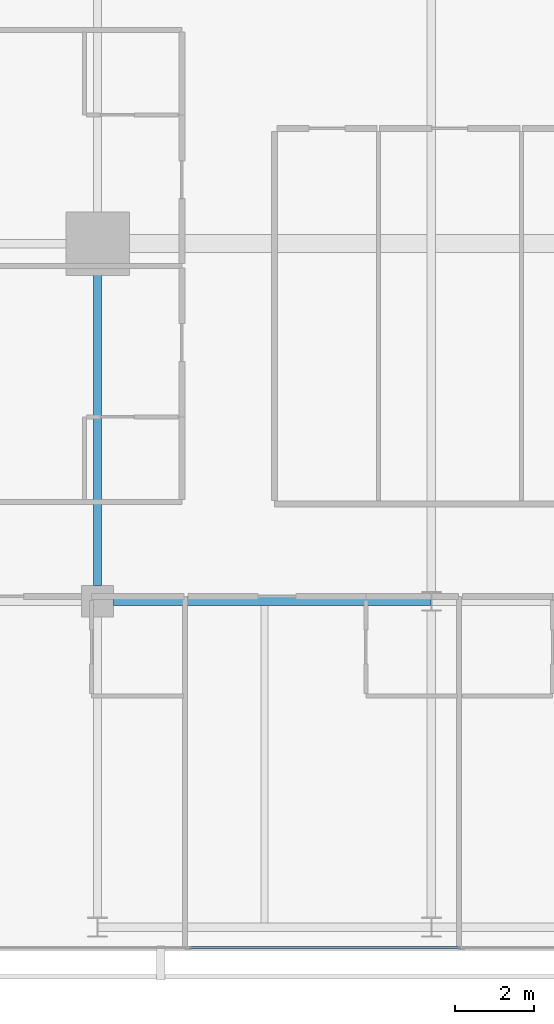
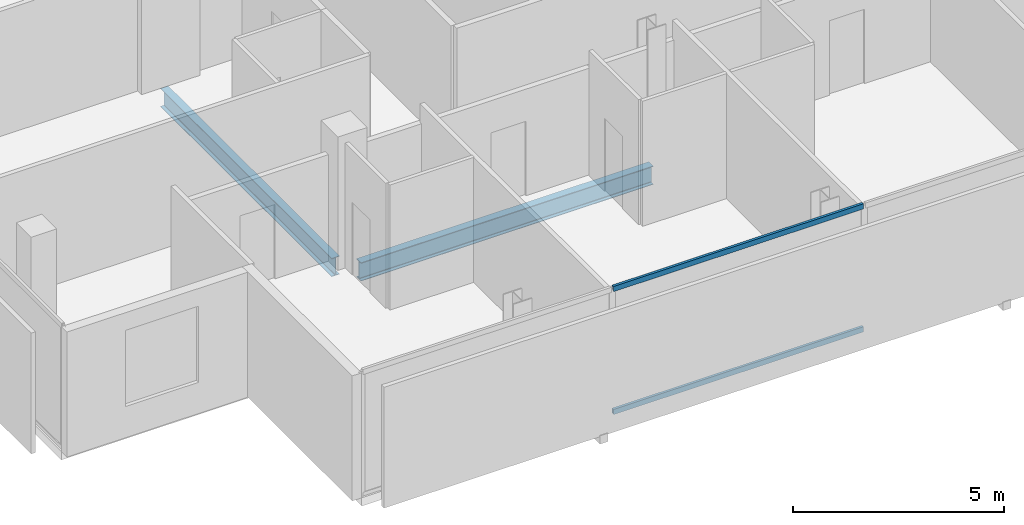
# One storey, part 5 of 25: 2 beams, 2 members, 1 element without a shape of its own.
"""IFC4 building model written with IfcOpenShell, lengths in metres."""

from ifc_helpers import new_model, si_unit, direction, frame, origin, origin_2d, place, context, subcontext, project, spatial, hollow_rectangle, i_section, extrude, material, layer, layer_set, material_profile, profile_set, type_object, element, aggregate, save


model = new_model("IFC4")

# Units and contexts
model_context = context("Model", 3, precision=1e-05, world=origin(), true_north=direction((0.0, 1.0)))
body_context = subcontext(model_context, "Body", "Model", "MODEL_VIEW")
ifc_project = project(units=[si_unit("LENGTHUNIT", "METRE"), si_unit("AREAUNIT", "SQUARE_METRE"), si_unit("VOLUMEUNIT", "CUBIC_METRE"), si_unit("PLANEANGLEUNIT", "RADIAN"), si_unit("MASSUNIT", "GRAM", prefix="KILO")], contexts=[model_context])

# Site, building, storey
site_placement = place(None, origin())
site = spatial("IfcSite", under=ifc_project, at=site_placement, CompositionType="ELEMENT")
building_placement = place(site_placement, origin())
building = spatial("IfcBuilding", under=site, at=building_placement, Name="Maruvema Waterfront Hotel and Observation Tower", CompositionType="ELEMENT")
storey_placement = place(building_placement, frame((0.0, 0.0, 270.199951171875)))
storey = spatial("IfcBuildingStorey", under=building, at=storey_placement, Name="L66", CompositionType="ELEMENT", Elevation=270.199951171875)

# Curtain wall, members
ifc_material_1 = material(Name="Anodised bronze aluminium and solar-control low-E IGU", Category="aluminium")
ifc_layer = layer(ifc_material_1, 0.159912109375, Name="Zone 3 Champagne Inner Thermal Curtain Wall System CW-04")
ifc_layer_set = layer_set([ifc_layer], Name="Anodised bronze aluminium and solar-control low-E IGU")
curtain_wall_type = type_object("IfcCurtainWallType", Name="Zone 3 Champagne Inner Thermal Curtain Wall System CW-04", PredefinedType="USERDEFINED", material=ifc_layer_set)
curtain_wall_placement = place(storey_placement, origin())
curtain_wall = element("IfcCurtainWall", 1, at=curtain_wall_placement, inside=storey, type_object=curtain_wall_type, Name="L66 Curtain Wall CW-L66-S", ObjectType="UNITISED CURTAIN WALL", PredefinedType="USERDEFINED")
ifc_material_2 = material(Name="Anodised architectural bronze aluminium", Category="aluminium")
ifc_material_profile_1 = material_profile(ifc_material_2, hollow_rectangle(XDim=0.070068359375, YDim=0.14990234375, WallThickness=0.00390625, at=origin_2d()), Name="ALU-T70x150")
ifc_profile_set_1 = profile_set([ifc_material_profile_1], Name="Anodised architectural bronze aluminium")
member_type = type_object("IfcMemberType", Name="Curtain Wall Horizontal Transom ALU-T70x150", PredefinedType="USERDEFINED", material=ifc_profile_set_1)
member_1_placement = place(storey_placement, frame((27.510009765625, 9.280029296875, 0.030029296875), z_axis=(1.0, 0.0, 0.0), x_axis=(0.0, 1.0, 0.0)))
member_1 = element("IfcMember", 2, at=member_1_placement, type_object=member_type, Name="CW-04 transom 2.1", ObjectType="TRANSOM", PredefinedType="USERDEFINED", context=body_context, shape_type="SweptSolid", body=[
    extrude(hollow_rectangle(XDim=0.070068359375, YDim=0.14990234375, WallThickness=0.00390625, at=origin_2d()), origin(), (0.0, 0.0, 1.0), 6.820068359375),
])
member_2_placement = place(storey_placement, frame((27.510009765625, 9.280029296875, 3.580078125), z_axis=(1.0, 0.0, 0.0), x_axis=(0.0, 1.0, 0.0)))
member_2 = element("IfcMember", 3, at=member_2_placement, type_object=member_type, Name="CW-04 transom 2.2", ObjectType="TRANSOM", PredefinedType="USERDEFINED", context=body_context, shape_type="SweptSolid", body=[
    extrude(hollow_rectangle(XDim=0.070068359375, YDim=0.14990234375, WallThickness=0.00390625, at=origin_2d()), origin(), (0.0, 0.0, 1.0), 6.820068359375),
])
aggregate(curtain_wall, [member_1, member_2])

# Beams
ifc_material_3 = material(Name="Steel ASTM A572 Grade 50", Category="steel")
ifc_material_profile_2 = material_profile(ifc_material_3, i_section(OverallWidth=0.208984375, OverallDepth=0.532958984375, WebThickness=0.01025390625, FlangeThickness=0.015625, FilletRadius=0.014892578125, at=origin_2d()), Name="W530x92.0")
ifc_profile_set_2 = profile_set([ifc_material_profile_2], Name="Steel ASTM A572 Grade 50")
beam_type = type_object("IfcBeamType", Name="Primary Floor Girder W530x92.0", PredefinedType="BEAM", material=ifc_profile_set_2)
beam_1_placement = place(storey_placement, frame((25.60009765625, 18.0, -0.50634765625), z_axis=(1.0, 0.0, 0.0), x_axis=(0.0, 1.0, 0.0)))
element("IfcBeam", 4, at=beam_1_placement, inside=storey, type_object=beam_type, Name="L66 Floor Girder EW-05", PredefinedType="BEAM", context=body_context, shape_type="SweptSolid", body=[
    extrude(i_section(OverallWidth=0.208984375, OverallDepth=0.532958984375, WebThickness=0.01025390625, FlangeThickness=0.015625, FilletRadius=0.014892578125, at=origin_2d()), origin(), (0.0, 0.0, 1.0), 7.989013671875),
])
beam_2_placement = place(storey_placement, frame((25.199951171875, 18.39990234375, -0.50634765625), z_axis=(0.0, 1.0, 0.0), x_axis=(-1.0, 0.0, 0.0)))
element("IfcBeam", 5, at=beam_2_placement, inside=storey, type_object=beam_type, Name="L66 Floor Girder NS-05", PredefinedType="BEAM", context=body_context, shape_type="SweptSolid", body=[
    extrude(i_section(OverallWidth=0.208984375, OverallDepth=0.532958984375, WebThickness=0.01025390625, FlangeThickness=0.015625, FilletRadius=0.014892578125, at=origin_2d()), origin(), (0.0, 0.0, 1.0), 8.10009765625),
])

save(model, "model.ifc")
